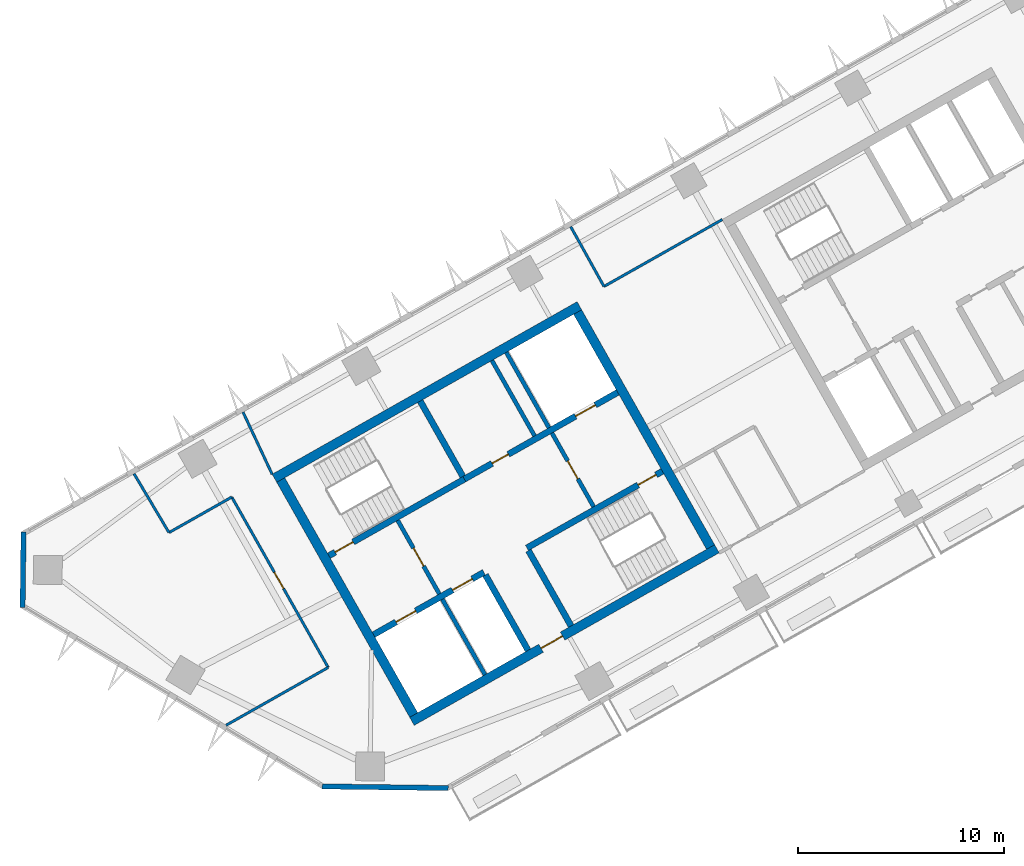
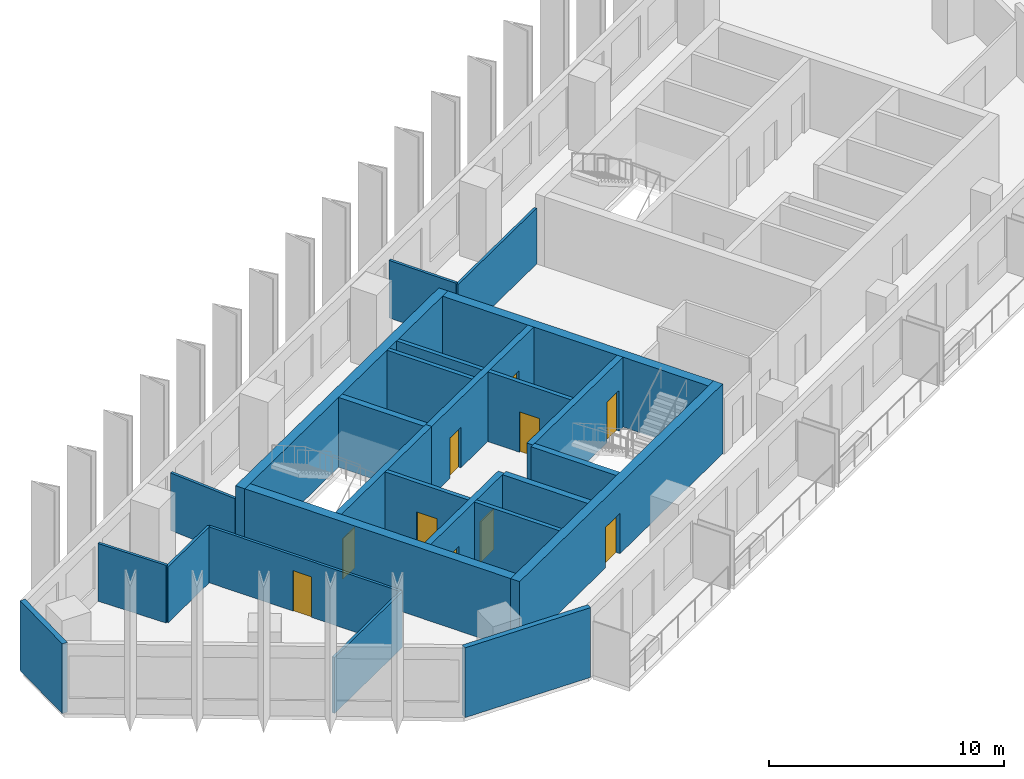
# One storey, part 3 of 12: 25 walls, 10 doors, 10 openings.
"""IFC4 building model written with IfcOpenShell, lengths in metres."""

from ifc_helpers import new_model, si_unit, direction, frame, frame_2d, origin, place, context, subcontext, project, spatial, rectangle, extrude, material, layer, layer_set, type_object, element, fill, save


model = new_model("IFC4")

# Units and contexts
model_context = context("Model", 3, precision=1e-05, world=origin(), true_north=direction((0.0, 1.0)))
body_context = subcontext(model_context, "Body", "Model", "MODEL_VIEW")
ifc_project = project(units=[si_unit("LENGTHUNIT", "METRE"), si_unit("AREAUNIT", "SQUARE_METRE"), si_unit("VOLUMEUNIT", "CUBIC_METRE"), si_unit("PLANEANGLEUNIT", "RADIAN"), si_unit("MASSUNIT", "GRAM", prefix="KILO")], contexts=[model_context])

# Site, building, storey
site_placement = place(None, origin())
site = spatial("IfcSite", under=ifc_project, at=site_placement, CompositionType="ELEMENT")
building_placement = place(site_placement, origin())
building = spatial("IfcBuilding", under=site, at=building_placement, Name="Binnacle Exchange Tower", CompositionType="ELEMENT")
storey_placement = place(building_placement, frame((0.0, 0.0, 246.5)))
storey = spatial("IfcBuildingStorey", under=building, at=storey_placement, Name="L54", CompositionType="ELEMENT", Elevation=246.5)

# Wall, openings, doors
ifc_material_1 = material(Name="Concrete C70/85", Category="concrete")
ifc_layer_1 = layer(ifc_material_1, 0.300048828125)
ifc_layer_set_1 = layer_set([ifc_layer_1], Name="Core wall - front 300")
wall_type_1 = type_object("IfcWallType", Name="Core wall - front 300", PredefinedType="SOLIDWALL", material=ifc_layer_set_1)
wall_1_placement = place(storey_placement, frame((-41.6865234375, 33.88720703125, 0.0), z_axis=(0.0, 0.0, 1.0), x_axis=(0.870355736587, 0.49242348826, 0.0)))
wall_1 = element("IfcWall", 1, at=wall_1_placement, inside=storey, type_object=wall_type_1, Name="Core wall CRWA2", PredefinedType="SOLIDWALL", context=body_context, shape_type="SweptSolid", body=[
    extrude(rectangle(XDim=6.14990234375, YDim=0.300048828125, at=frame_2d((3.074951171875, 0.0))), origin(), (0.0, 0.0, 1.0), 3.6201171875),
])
opening_1_placement = place(wall_1_placement, frame((1.25, 0.0, 0.0)))
opening_1 = element("IfcOpeningElement", 2, at=opening_1_placement, cuts=wall_1, Name="Opening LD12", PredefinedType="OPENING", context=body_context, shape_type="SweptSolid", body=[
    extrude(rectangle(XDim=1.10009765625, YDim=2.10009765625, at=frame_2d((0.550048828125, 1.050048828125))), frame((0.0, 0.159912109375, 0.0), z_axis=(0.0, -1.0, 0.0), x_axis=(1.0, 0.0, 0.0)), (0.0, 0.0, 1.0), 0.320068359375),
])
opening_2_placement = place(wall_1_placement, frame((4.39990234375, 0.0, 0.0)))
opening_2 = element("IfcOpeningElement", 3, at=opening_2_placement, cuts=wall_1, Name="Opening LD8", PredefinedType="OPENING", context=body_context, shape_type="SweptSolid", body=[
    extrude(rectangle(XDim=1.10009765625, YDim=2.10009765625, at=frame_2d((0.550048828125, 1.050048828125))), frame((0.0, 0.159912109375, 0.0), z_axis=(0.0, -1.0, 0.0), x_axis=(1.0, 0.0, 0.0)), (0.0, 0.0, 1.0), 0.320068359375),
])
ifc_material_2 = material(Name="Steel door leaf", Category="steel")
door_type_1 = type_object("IfcDoorType", Name="Fire door - lift landing 1100", OperationType="NOTDEFINED", PredefinedType="DOOR", material=ifc_material_2)
door_1_placement = place(opening_1_placement, origin())
door_1 = element("IfcDoor", 4, at=door_1_placement, inside=storey, type_object=door_type_1, Name="Landing door LD12 L54", OperationType="DOUBLE_DOOR_SLIDING", OverallHeight=2.10009765625, OverallWidth=1.10009765625, PredefinedType="DOOR", context=body_context, shape_type="SweptSolid", body=[
    extrude(rectangle(XDim=1.10009765625, YDim=2.10009765625, at=frame_2d((0.550048828125, 1.050048828125))), frame((0.0, 0.02490234375, 0.0), z_axis=(0.0, -1.0, 0.0), x_axis=(1.0, 0.0, 0.0)), (0.0, 0.0, 1.0), 0.050048828125),
])
fill(opening_1, door_1)
door_2_placement = place(opening_2_placement, origin())
door_2 = element("IfcDoor", 5, at=door_2_placement, inside=storey, type_object=door_type_1, Name="Landing door LD8 L54", OperationType="DOUBLE_DOOR_SLIDING", OverallHeight=2.10009765625, OverallWidth=1.10009765625, PredefinedType="DOOR", context=body_context, shape_type="SweptSolid", body=[
    extrude(rectangle(XDim=1.10009765625, YDim=2.10009765625, at=frame_2d((0.550048828125, 1.050048828125))), frame((0.0, 0.02490234375, 0.0), z_axis=(0.0, -1.0, 0.0), x_axis=(1.0, 0.0, 0.0)), (0.0, 0.0, 1.0), 0.050048828125),
])
fill(opening_2, door_2)

wall_2_placement = place(storey_placement, frame((-37.281982421875, 41.4345703125, 0.0), z_axis=(0.0, 0.0, 1.0), x_axis=(0.870352688754, 0.492428875248, 0.0)))
wall_2 = element("IfcWall", 6, at=wall_2_placement, inside=storey, type_object=wall_type_1, Name="Core wall CRWA5", PredefinedType="SOLIDWALL", context=body_context, shape_type="SweptSolid", body=[
    extrude(rectangle(XDim=8.5498046875, YDim=0.300048828125, at=frame_2d((4.27490234375, 0.0))), origin(), (0.0, 0.0, 1.0), 3.6201171875),
])
opening_3_placement = place(wall_2_placement, frame((6.199951171875, 0.0, 0.0)))
opening_3 = element("IfcOpeningElement", 7, at=opening_3_placement, cuts=wall_2, Name="Opening LD13", PredefinedType="OPENING", context=body_context, shape_type="SweptSolid", body=[
    extrude(rectangle(XDim=1.10009765625, YDim=2.10009765625, at=frame_2d((0.550048828125, 1.050048828125))), frame((0.0, 0.159912109375, 0.0), z_axis=(0.0, -1.0, 0.0), x_axis=(1.0, 0.0, 0.0)), (0.0, 0.0, 1.0), 0.320068359375),
])
opening_4_placement = place(wall_2_placement, frame((1.550048828125, 0.0, 0.0)))
opening_4 = element("IfcOpeningElement", 8, at=opening_4_placement, cuts=wall_2, Name="Opening DA10", PredefinedType="OPENING", context=body_context, shape_type="SweptSolid", body=[
    extrude(rectangle(XDim=0.89990234375, YDim=2.10009765625, at=frame_2d((0.449951171875, 1.050048828125))), frame((0.0, 0.159912109375, 0.0), z_axis=(0.0, -1.0, 0.0), x_axis=(1.0, 0.0, 0.0)), (0.0, 0.0, 1.0), 0.320068359375),
])
door_3_placement = place(opening_3_placement, origin())
door_3 = element("IfcDoor", 9, at=door_3_placement, inside=storey, type_object=door_type_1, Name="Landing door LD13 L54", OperationType="DOUBLE_DOOR_SLIDING", OverallHeight=2.10009765625, OverallWidth=1.10009765625, PredefinedType="DOOR", context=body_context, shape_type="SweptSolid", body=[
    extrude(rectangle(XDim=1.10009765625, YDim=2.10009765625, at=frame_2d((0.550048828125, 1.050048828125))), frame((0.0, 0.02490234375, 0.0), z_axis=(0.0, -1.0, 0.0), x_axis=(1.0, 0.0, 0.0)), (0.0, 0.0, 1.0), 0.050048828125),
])
fill(opening_3, door_3)
door_type_2 = type_object("IfcDoorType", Name="Fire door 900", OperationType="NOTDEFINED", PredefinedType="DOOR", material=ifc_material_2)
door_4_placement = place(opening_4_placement, origin())
door_4 = element("IfcDoor", 10, at=door_4_placement, inside=storey, type_object=door_type_2, Name="Core room door LINEN AND SUPPLIES STORE", OperationType="SINGLE_SWING_LEFT", OverallHeight=2.10009765625, OverallWidth=0.89990234375, PredefinedType="DOOR", context=body_context, shape_type="SweptSolid", body=[
    extrude(rectangle(XDim=0.89990234375, YDim=2.10009765625, at=frame_2d((0.449951171875, 1.050048828125))), frame((0.0, 0.02490234375, 0.0), z_axis=(0.0, -1.0, 0.0), x_axis=(1.0, 0.0, 0.0)), (0.0, 0.0, 1.0), 0.050048828125),
])
fill(opening_4, door_4)

# Wall
wall_3_placement = place(storey_placement, frame((-36.260009765625, 36.784912109375, 0.0), z_axis=(0.0, 0.0, 1.0), x_axis=(0.492409653846, -0.870363563575, 0.0)))
element("IfcWall", 11, at=wall_3_placement, inside=storey, type_object=wall_type_1, Name="Core wall CRWA13", PredefinedType="SOLIDWALL", context=body_context, shape_type="SweptSolid", body=[
    extrude(rectangle(XDim=4.199951171875, YDim=0.300048828125, at=frame_2d((2.10009765625, 0.0))), origin(), (0.0, 0.0, 1.0), 3.6201171875),
])

# Wall, opening, door
ifc_layer_2 = layer(ifc_material_1, 0.449951171875)
ifc_layer_set_2 = layer_set([ifc_layer_2], Name="Core wall - outer 450")
wall_type_2 = type_object("IfcWallType", Name="Core wall - outer 450", PredefinedType="SOLIDWALL", material=ifc_layer_set_2)
wall_4_placement = place(storey_placement, frame((-39.825439453125, 29.68359375, 0.0), z_axis=(0.0, 0.0, 1.0), x_axis=(0.870353598469, 0.492427267353, 0.0)))
wall_4 = element("IfcWall", 12, at=wall_4_placement, inside=storey, type_object=wall_type_2, Name="Core wall CRWA1", PredefinedType="SOLIDWALL", context=body_context, shape_type="SweptSolid", body=[
    extrude(rectangle(XDim=17.000244140625, YDim=0.449951171875, at=frame_2d((8.5, 0.0))), origin(), (0.0, 0.0, 1.0), 3.6201171875),
])
opening_5_placement = place(wall_4_placement, frame((7.199951171875, 0.0, 0.0)))
opening_5 = element("IfcOpeningElement", 13, at=opening_5_placement, cuts=wall_4, Name="Opening DA7", PredefinedType="OPENING", context=body_context, shape_type="SweptSolid", body=[
    extrude(rectangle(XDim=1.199951171875, YDim=2.10009765625, at=frame_2d((0.60009765625, 1.050048828125))), frame((0.0, 0.23486328125, 0.0), z_axis=(0.0, -1.0, 0.0), x_axis=(1.0, 0.0, 0.0)), (0.0, 0.0, 1.0), 0.469970703125),
])
door_type_3 = type_object("IfcDoorType", Name="Fire door 1200", OperationType="NOTDEFINED", PredefinedType="DOOR", material=ifc_material_2)
door_5_placement = place(opening_5_placement, frame((1.199951171875, 0.0, 0.0), z_axis=(0.0, 0.0, 1.0), x_axis=(-1.0, 0.0, 0.0)))
door_5 = element("IfcDoor", 14, at=door_5_placement, inside=storey, type_object=door_type_3, Name="Lift lobby entrance door core A", OperationType="SINGLE_SWING_RIGHT", OverallHeight=2.10009765625, OverallWidth=1.199951171875, PredefinedType="DOOR", context=body_context, shape_type="SweptSolid", body=[
    extrude(rectangle(XDim=1.199951171875, YDim=2.10009765625, at=frame_2d((0.60009765625, 1.050048828125))), frame((0.0, 0.02490234375, 0.0), z_axis=(0.0, -1.0, 0.0), x_axis=(1.0, 0.0, 0.0)), (0.0, 0.0, 1.0), 0.050048828125),
])
fill(opening_5, door_5)

# Walls
wall_5_placement = place(storey_placement, frame((-46.497802734375, 41.47705078125, 0.0), z_axis=(0.0, 0.0, 1.0), x_axis=(0.870359753402, 0.492416388494, 0.0)))
element("IfcWall", 15, at=wall_5_placement, inside=storey, type_object=wall_type_2, Name="Core wall CRWA6", PredefinedType="SOLIDWALL", context=body_context, shape_type="SweptSolid", body=[
    extrude(rectangle(XDim=17.0, YDim=0.449951171875, at=frame_2d((8.5, 0.0))), origin(), (0.0, 0.0, 1.0), 3.6201171875),
])
for number, where, z_axis, x_axis, name in (
    (16, (-46.191162109375, 41.391845703125, 0.0), (0.0, 0.0, 1.0), (0.492421378713, -0.870356930107, 0.0), "Core wall CRWA7"),
    (17, (-31.78662109375, 49.54150390625, 0.0), (0.0, 0.0, 1.0), (0.492421378713, -0.870356930107, 0.0), "Core wall CRWA22"),
):
    element("IfcWall", number, at=place(storey_placement, frame(where, z_axis=z_axis, x_axis=x_axis)), inside=storey, type_object=wall_type_2, Name=name, PredefinedType="SOLIDWALL", context=body_context, shape_type="SweptSolid", body=[
        extrude(rectangle(XDim=13.099853515625, YDim=0.449951171875, at=frame_2d((6.5498046875, 0.0))), origin(), (0.0, 0.0, 1.0), 3.6201171875),
    ])

# Wall, opening, door
ifc_layer_3 = layer(ifc_material_1, 0.300048828125)
ifc_layer_set_3 = layer_set([ifc_layer_3], Name="Core wall - stair 300")
wall_type_3 = type_object("IfcWallType", Name="Core wall - stair 300", PredefinedType="SOLIDWALL", material=ifc_layer_set_3)
wall_6_placement = place(storey_placement, frame((-34.2451171875, 38.097412109375, 0.0), z_axis=(0.0, 0.0, 1.0), x_axis=(0.870360409231, 0.492415229297, 0.0)))
wall_6 = element("IfcWall", 18, at=wall_6_placement, inside=storey, type_object=wall_type_3, Name="Core wall CRWA3", PredefinedType="SOLIDWALL", context=body_context, shape_type="SweptSolid", body=[
    extrude(rectangle(XDim=7.550048828125, YDim=0.300048828125, at=frame_2d((3.77490234375, 0.0))), origin(), (0.0, 0.0, 1.0), 3.6201171875),
])
opening_6_placement = place(wall_6_placement, frame((6.199951171875, 0.0, 0.0)))
opening_6 = element("IfcOpeningElement", 19, at=opening_6_placement, cuts=wall_6, Name="Opening DA2", PredefinedType="OPENING", context=body_context, shape_type="SweptSolid", body=[
    extrude(rectangle(XDim=1.0, YDim=2.10009765625, at=frame_2d((0.5, 1.050048828125))), frame((0.0, 0.159912109375, 0.0), z_axis=(0.0, -1.0, 0.0), x_axis=(1.0, 0.0, 0.0)), (0.0, 0.0, 1.0), 0.320068359375),
])
door_type_4 = type_object("IfcDoorType", Name="Fire door 1000", OperationType="NOTDEFINED", PredefinedType="DOOR", material=ifc_material_2)
door_6_placement = place(opening_6_placement, frame((1.0, 0.0, 0.0), z_axis=(0.0, 0.0, 1.0), x_axis=(-1.0, 0.0, 0.0)))
door_6 = element("IfcDoor", 20, at=door_6_placement, inside=storey, type_object=door_type_4, Name="Stair door ST-A2", OperationType="SINGLE_SWING_LEFT", OverallHeight=2.10009765625, OverallWidth=1.0, PredefinedType="DOOR", context=body_context, shape_type="SweptSolid", body=[
    extrude(rectangle(XDim=1.0, YDim=2.10009765625, at=frame_2d((0.5, 1.050048828125))), frame((0.0, 0.02490234375, 0.0), z_axis=(0.0, -1.0, 0.0), x_axis=(1.0, 0.0, 0.0)), (0.0, 0.0, 1.0), 0.050048828125),
])
fill(opening_6, door_6)

wall_7_placement = place(storey_placement, frame((-43.853271484375, 37.716796875, 0.0), z_axis=(0.0, 0.0, 1.0), x_axis=(0.870360409231, 0.492415229297, 0.0)))
wall_7 = element("IfcWall", 21, at=wall_7_placement, inside=storey, type_object=wall_type_3, Name="Core wall CRWA4", PredefinedType="SOLIDWALL", context=body_context, shape_type="SweptSolid", body=[
    extrude(rectangle(XDim=7.550048828125, YDim=0.300048828125, at=frame_2d((3.77490234375, 0.0))), origin(), (0.0, 0.0, 1.0), 3.6201171875),
])
opening_7_placement = place(wall_7_placement, frame((0.35009765625, 0.0, 0.0)))
opening_7 = element("IfcOpeningElement", 22, at=opening_7_placement, cuts=wall_7, Name="Opening DA1", PredefinedType="OPENING", context=body_context, shape_type="SweptSolid", body=[
    extrude(rectangle(XDim=1.0, YDim=2.10009765625, at=frame_2d((0.5, 1.050048828125))), frame((0.0, 0.159912109375, 0.0), z_axis=(0.0, -1.0, 0.0), x_axis=(1.0, 0.0, 0.0)), (0.0, 0.0, 1.0), 0.320068359375),
])
door_7_placement = place(opening_7_placement, origin())
door_7 = element("IfcDoor", 23, at=door_7_placement, inside=storey, type_object=door_type_4, Name="Stair door ST-A1", OperationType="SINGLE_SWING_LEFT", OverallHeight=2.10009765625, OverallWidth=1.0, PredefinedType="DOOR", context=body_context, shape_type="SweptSolid", body=[
    extrude(rectangle(XDim=1.0, YDim=2.10009765625, at=frame_2d((0.5, 1.050048828125))), frame((0.0, 0.02490234375, 0.0), z_axis=(0.0, -1.0, 0.0), x_axis=(1.0, 0.0, 0.0)), (0.0, 0.0, 1.0), 0.050048828125),
])
fill(opening_7, door_7)

# Walls
for number, where, z_axis, x_axis, name in (
    (24, (-39.424072265625, 45.220458984375, 0.0), (0.0, 0.0, 1.0), (0.492409653846, -0.870363563575, 0.0), "Core wall CRWA14"),
    (25, (-34.171142578125, 37.966796875, 0.0), (0.0, 0.0, 1.0), (0.492409653846, -0.870363563575, 0.0), "Core wall CRWA16"),
):
    element("IfcWall", number, at=place(storey_placement, frame(where, z_axis=z_axis, x_axis=x_axis)), inside=storey, type_object=wall_type_3, Name=name, PredefinedType="SOLIDWALL", context=body_context, shape_type="SweptSolid", body=[
        extrude(rectangle(XDim=4.199951171875, YDim=0.300048828125, at=frame_2d((2.10009765625, 0.0))), origin(), (0.0, 0.0, 1.0), 3.6201171875),
    ])
ifc_material_3 = material(Name="Bronze aluminium cladding", Category="aluminium")
ifc_layer_4 = layer(ifc_material_3, 0.25)
ifc_layer_set_4 = layer_set([ifc_layer_4], Name="External wall - window wall 250")
wall_type_4 = type_object("IfcWallType", Name="External wall - window wall 250", PredefinedType="STANDARD", material=ifc_layer_set_4)
wall_8_placement = place(storey_placement, frame((-38.06396484375, 26.44482421875, 0.0), z_axis=(0.0, 0.0, 1.0), x_axis=(-0.999914239143, 0.013096349097, 0.0)))
element("IfcWall", 26, at=wall_8_placement, inside=storey, type_object=wall_type_4, Name="External wall EW-G00 L54", PredefinedType="STANDARD", context=body_context, shape_type="SweptSolid", body=[
    extrude(rectangle(XDim=6.114501953125, YDim=0.25, at=frame_2d((3.05712890625, 0.0))), origin(), (0.0, 0.0, 1.0), 3.6201171875),
])
wall_9_placement = place(storey_placement, frame((-58.717041015625, 35.208251953125, 0.0), z_axis=(0.0, 0.0, 1.0), x_axis=(0.01310512158, 0.999914124207, 0.0)))
element("IfcWall", 27, at=wall_9_placement, inside=storey, type_object=wall_type_4, Name="External wall EW-G09 L54", PredefinedType="STANDARD", context=body_context, shape_type="SweptSolid", body=[
    extrude(rectangle(XDim=3.669921875, YDim=0.25, at=frame_2d((1.8349609375, 0.0))), origin(), (0.0, 0.0, 1.0), 3.6201171875),
])

# Wall, opening, door
ifc_material_4 = material(Name="Masonry block wall", Category="masonry")
ifc_layer_5 = layer(ifc_material_4, 0.199951171875)
ifc_layer_set_5 = layer_set([ifc_layer_5], Name="Fire wall - vestibule 200")
wall_type_5 = type_object("IfcWallType", Name="Fire wall - vestibule 200", PredefinedType="PARTITIONING", material=ifc_layer_set_5)
wall_10_placement = place(storey_placement, frame((-40.515625, 39.4326171875, 0.0), z_axis=(0.0, 0.0, 1.0), x_axis=(0.492453559952, -0.87033872216, 0.0)))
wall_10 = element("IfcWall", 28, at=wall_10_placement, inside=storey, type_object=wall_type_5, Name="Core wall CRWA10", PredefinedType="PARTITIONING", context=body_context, shape_type="SweptSolid", body=[
    extrude(rectangle(XDim=4.099853515625, YDim=0.199951171875, at=frame_2d((2.0498046875, 0.0))), origin(), (0.0, 0.0, 1.0), 3.6201171875),
])
opening_8_placement = place(wall_10_placement, frame((1.550048828125, 0.0, 0.0)))
opening_8 = element("IfcOpeningElement", 29, at=opening_8_placement, cuts=wall_10, Name="Opening DA3", PredefinedType="OPENING", context=body_context, shape_type="SweptSolid", body=[
    extrude(rectangle(XDim=1.0, YDim=2.10009765625, at=frame_2d((0.5, 1.050048828125))), frame((0.0, 0.10986328125, 0.0), z_axis=(0.0, -1.0, 0.0), x_axis=(1.0, 0.0, 0.0)), (0.0, 0.0, 1.0), 0.219970703125),
])
door_8_placement = place(opening_8_placement, frame((1.0, 0.0, 0.0), z_axis=(0.0, 0.0, 1.0), x_axis=(-1.0, 0.0, 0.0)))
door_8 = element("IfcDoor", 30, at=door_8_placement, inside=storey, type_object=door_type_4, Name="Vestibule door VEST-W", OperationType="SINGLE_SWING_LEFT", OverallHeight=2.10009765625, OverallWidth=1.0, PredefinedType="DOOR", context=body_context, shape_type="SweptSolid", body=[
    extrude(rectangle(XDim=1.0, YDim=2.10009765625, at=frame_2d((0.5, 1.050048828125))), frame((0.0, 0.02490234375, 0.0), z_axis=(0.0, -1.0, 0.0), x_axis=(1.0, 0.0, 0.0)), (0.0, 0.0, 1.0), 0.050048828125),
])
fill(opening_8, door_8)

wall_11_placement = place(storey_placement, frame((-33.030517578125, 43.66748046875, 0.0), z_axis=(0.0, 0.0, 1.0), x_axis=(0.492408451753, -0.87036424366, 0.0)))
wall_11 = element("IfcWall", 31, at=wall_11_placement, inside=storey, type_object=wall_type_5, Name="Core wall CRWA19", PredefinedType="PARTITIONING", context=body_context, shape_type="SweptSolid", body=[
    extrude(rectangle(XDim=4.099853515625, YDim=0.199951171875, at=frame_2d((2.0498046875, 0.0))), origin(), (0.0, 0.0, 1.0), 3.6201171875),
])
opening_9_placement = place(wall_11_placement, frame((1.550048828125, 0.0, 0.0)))
opening_9 = element("IfcOpeningElement", 32, at=opening_9_placement, cuts=wall_11, Name="Opening DA4", PredefinedType="OPENING", context=body_context, shape_type="SweptSolid", body=[
    extrude(rectangle(XDim=1.0, YDim=2.10009765625, at=frame_2d((0.5, 1.050048828125))), frame((0.0, 0.10986328125, 0.0), z_axis=(0.0, -1.0, 0.0), x_axis=(1.0, 0.0, 0.0)), (0.0, 0.0, 1.0), 0.219970703125),
])
door_9_placement = place(opening_9_placement, origin())
door_9 = element("IfcDoor", 33, at=door_9_placement, inside=storey, type_object=door_type_4, Name="Vestibule door VEST-E", OperationType="SINGLE_SWING_RIGHT", OverallHeight=2.10009765625, OverallWidth=1.0, PredefinedType="DOOR", context=body_context, shape_type="SweptSolid", body=[
    extrude(rectangle(XDim=1.0, YDim=2.10009765625, at=frame_2d((0.5, 1.050048828125))), frame((0.0, 0.02490234375, 0.0), z_axis=(0.0, -1.0, 0.0), x_axis=(1.0, 0.0, 0.0)), (0.0, 0.0, 1.0), 0.050048828125),
])
fill(opening_9, door_9)

# Walls
ifc_material_5 = material(Name="Gypsum partition")
ifc_layer_6 = layer(ifc_material_5, 0.125)
ifc_layer_set_6 = layer_set([ifc_layer_6], Name="Partition 125")
wall_type_6 = type_object("IfcWallType", Name="Partition 125", PredefinedType="PARTITIONING", material=ifc_layer_set_6)
wall_12_placement = place(storey_placement, frame((-53.30908203125, 41.696044921875, 0.0), z_axis=(0.0, 0.0, 1.0), x_axis=(0.510739180143, -0.859735709312, 0.0)))
element("IfcWall", 34, at=wall_12_placement, inside=storey, type_object=wall_type_6, Name="Partition W01", PredefinedType="PARTITIONING", context=body_context, shape_type="SweptSolid", body=[
    extrude(rectangle(XDim=3.32080078125, YDim=0.125, at=frame_2d((1.660400390625, 0.0))), origin(), (0.0, 0.0, 1.0), 2.993896484375),
])
wall_13_placement = place(storey_placement, frame((-51.613037109375, 38.841064453125, 0.0), z_axis=(0.0, 0.0, 1.0), x_axis=(0.870300294116, 0.492521469645, 0.0)))
element("IfcWall", 35, at=wall_13_placement, inside=storey, type_object=wall_type_6, Name="Partition W02", PredefinedType="PARTITIONING", context=body_context, shape_type="SweptSolid", body=[
    extrude(rectangle(XDim=3.5, YDim=0.125, at=frame_2d((1.75, 0.0))), origin(), (0.0, 0.0, 1.0), 2.89990234375),
])
wall_14_placement = place(storey_placement, frame((-48.843017578125, 29.493896484375, 0.0), z_axis=(0.0, 0.0, 1.0), x_axis=(0.870331085166, 0.492467056962, 0.0)))
element("IfcWall", 36, at=wall_14_placement, inside=storey, type_object=wall_type_6, Name="Partition W03", PredefinedType="PARTITIONING", context=body_context, shape_type="SweptSolid", body=[
    extrude(rectangle(XDim=5.692138671875, YDim=0.125, at=frame_2d((2.84619140625, 0.0))), origin(), (0.0, 0.0, 1.0), 2.89990234375),
])

# Wall, opening, door
wall_15_placement = place(storey_placement, frame((-48.56689453125, 40.56494140625, 0.0), z_axis=(0.0, 0.0, 1.0), x_axis=(0.492445070084, -0.870343525828, 0.0)))
wall_15 = element("IfcWall", 37, at=wall_15_placement, inside=storey, type_object=wall_type_6, Name="Partition W04", PredefinedType="PARTITIONING", context=body_context, shape_type="SweptSolid", body=[
    extrude(rectangle(XDim=9.49951171875, YDim=0.125, at=frame_2d((4.749755859375, 0.0))), origin(), (0.0, 0.0, 1.0), 2.89990234375),
])
opening_10_placement = place(wall_15_placement, frame((4.199951171875, 0.0, 0.0)))
opening_10 = element("IfcOpeningElement", 38, at=opening_10_placement, cuts=wall_15, Name="Opening DL52-01", PredefinedType="OPENING", context=body_context, shape_type="SweptSolid", body=[
    extrude(rectangle(XDim=0.89990234375, YDim=2.10009765625, at=frame_2d((0.449951171875, 1.050048828125))), frame((0.0, 0.072509765625, 0.0), z_axis=(0.0, -1.0, 0.0), x_axis=(1.0, 0.0, 0.0)), (0.0, 0.0, 1.0), 0.14501953125),
])
ifc_material_6 = material(Name="Timber door leaf", Category="wood")
door_type_5 = type_object("IfcDoorType", Name="Door 900", OperationType="NOTDEFINED", PredefinedType="DOOR", material=ifc_material_6)
door_10_placement = place(opening_10_placement, frame((0.89990234375, 0.0, 0.0), z_axis=(0.0, 0.0, 1.0), x_axis=(-1.0, 0.0, 0.0)))
door_10 = element("IfcDoor", 39, at=door_10_placement, inside=storey, type_object=door_type_5, Name="Door DL52-01", OperationType="SINGLE_SWING_RIGHT", OverallHeight=2.10009765625, OverallWidth=0.89990234375, PredefinedType="DOOR", context=body_context, shape_type="SweptSolid", body=[
    extrude(rectangle(XDim=0.89990234375, YDim=2.10009765625, at=frame_2d((0.449951171875, 1.050048828125))), frame((0.0, 0.02490234375, 0.0), z_axis=(0.0, -1.0, 0.0), x_axis=(1.0, 0.0, 0.0)), (0.0, 0.0, 1.0), 0.050048828125),
])
fill(opening_10, door_10)

# Walls
wall_16_placement = place(storey_placement, frame((-48.02197265625, 44.68701171875, 0.0), z_axis=(0.0, 0.0, 1.0), x_axis=(0.424510917438, -0.905422818895, 0.0)))
element("IfcWall", 40, at=wall_16_placement, inside=storey, type_object=wall_type_6, Name="Partition W05", PredefinedType="PARTITIONING", context=body_context, shape_type="SweptSolid", body=[
    extrude(rectangle(XDim=3.328857421875, YDim=0.125, at=frame_2d((1.66455078125, 0.0))), origin(), (0.0, 0.0, 1.0), 2.988037109375),
])
wall_17_placement = place(storey_placement, frame((-32.12109375, 53.68310546875, 0.0), z_axis=(0.0, 0.0, 1.0), x_axis=(0.486292328656, -0.873796183952, 0.0)))
element("IfcWall", 41, at=wall_17_placement, inside=storey, type_object=wall_type_6, Name="Partition W06", PredefinedType="PARTITIONING", context=body_context, shape_type="SweptSolid", body=[
    extrude(rectangle(XDim=3.319091796875, YDim=0.125, at=frame_2d((1.65966796875, 0.0))), origin(), (0.0, 0.0, 1.0), 2.988037109375),
])
wall_18_placement = place(storey_placement, frame((-30.507080078125, 50.782958984375, 0.0), z_axis=(0.0, 0.0, 1.0), x_axis=(0.870368895989, 0.492400228367, 0.0)))
element("IfcWall", 42, at=wall_18_placement, inside=storey, type_object=wall_type_6, Name="Partition W07", PredefinedType="PARTITIONING", context=body_context, shape_type="SweptSolid", body=[
    extrude(rectangle(XDim=6.59033203125, YDim=0.125, at=frame_2d((3.295166015625, 0.0))), origin(), (0.0, 0.0, 1.0), 2.89208984375),
])
ifc_layer_7 = layer(ifc_material_4, 0.199951171875)
ifc_layer_set_7 = layer_set([ifc_layer_7], Name="Riser wall 200")
wall_type_7 = type_object("IfcWallType", Name="Riser wall 200", PredefinedType="SOLIDWALL", material=ifc_layer_set_7)
for number, where, z_axis, x_axis, name in (
    (43, (-35.942626953125, 47.190185546875, 0.0), (0.0, 0.0, 1.0), (0.492409653846, -0.870363563575, 0.0), "Core wall CRWA18"),
    (44, (-35.246337890625, 47.584228515625, 0.0), (0.0, 0.0, 1.0), (0.492409653846, -0.870363563575, 0.0), "Core wall CRWA20"),
):
    element("IfcWall", number, at=place(storey_placement, frame(where, z_axis=z_axis, x_axis=x_axis)), inside=storey, type_object=wall_type_7, Name=name, PredefinedType="SOLIDWALL", context=body_context, shape_type="SweptSolid", body=[
        extrude(rectangle(XDim=4.199951171875, YDim=0.199951171875, at=frame_2d((2.10009765625, 0.0))), origin(), (0.0, 0.0, 1.0), 3.6201171875),
    ])
ifc_layer_8 = layer(ifc_material_4, 0.199951171875)
ifc_layer_set_8 = layer_set([ifc_layer_8], Name="Shaft wall 200")
wall_type_8 = type_object("IfcWallType", Name="Shaft wall 200", PredefinedType="SOLIDWALL", material=ifc_layer_set_8)
wall_19_placement = place(storey_placement, frame((-38.348876953125, 35.603271484375, 0.0), z_axis=(0.0, 0.0, 1.0), x_axis=(0.492409653846, -0.870363563575, 0.0)))
element("IfcWall", 45, at=wall_19_placement, inside=storey, type_object=wall_type_8, Name="Core wall CRWA9", PredefinedType="SOLIDWALL", context=body_context, shape_type="SweptSolid", body=[
    extrude(rectangle(XDim=4.199951171875, YDim=0.199951171875, at=frame_2d((2.10009765625, 0.0))), origin(), (0.0, 0.0, 1.0), 3.6201171875),
])

save(model, "model.ifc")
